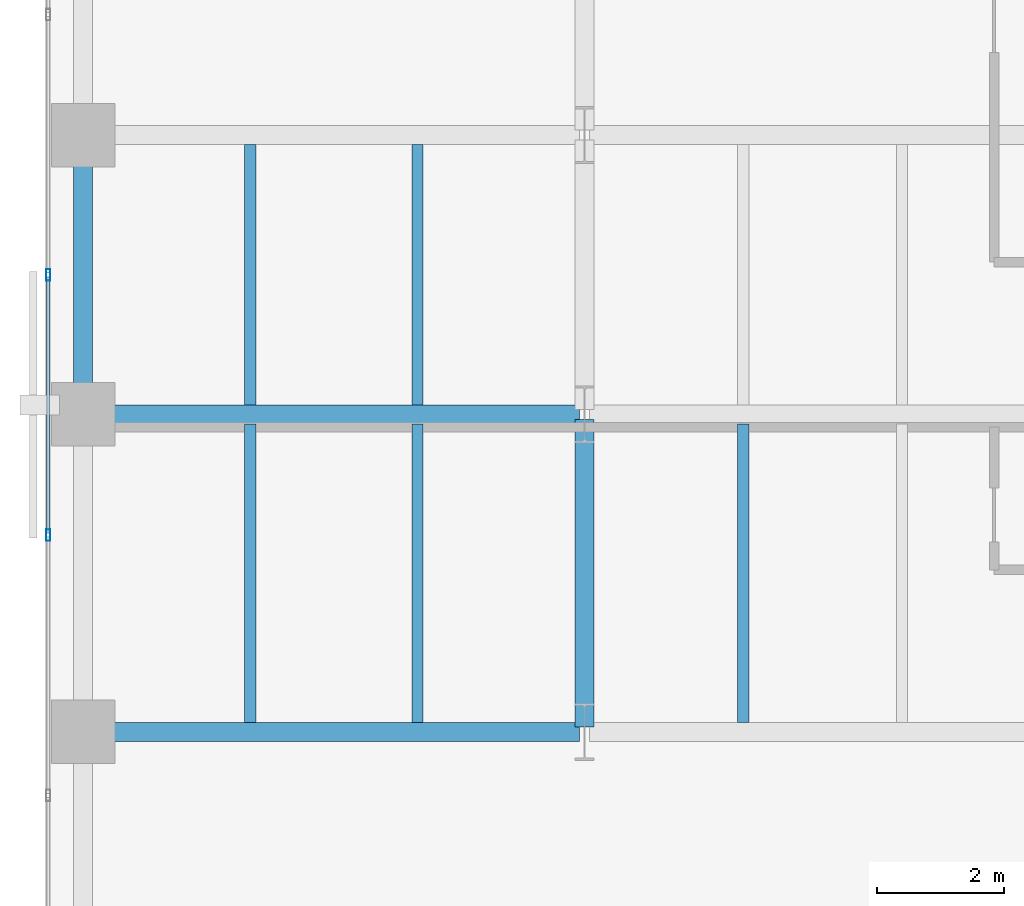
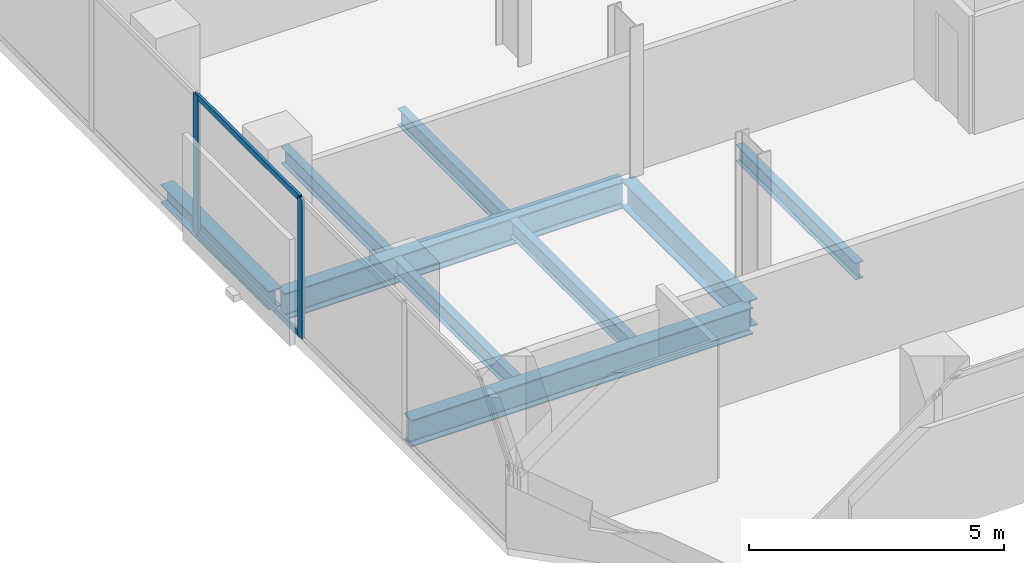
# One storey, part 4 of 31: 9 beams, 4 members, 1 element without a shape of its own.
"""IFC4 building model written with IfcOpenShell, lengths in metres."""

from ifc_helpers import new_model, si_unit, direction, frame, origin, origin_2d, place, context, subcontext, project, spatial, hollow_rectangle, i_section, extrude, material, layer, layer_set, material_profile, profile_set, type_object, element, aggregate, save


model = new_model("IFC4")

# Units and contexts
model_context = context("Model", 3, precision=1e-05, world=origin(), true_north=direction((0.0, 1.0)))
body_context = subcontext(model_context, "Body", "Model", "MODEL_VIEW")
ifc_project = project(units=[si_unit("LENGTHUNIT", "METRE"), si_unit("AREAUNIT", "SQUARE_METRE"), si_unit("VOLUMEUNIT", "CUBIC_METRE"), si_unit("PLANEANGLEUNIT", "RADIAN"), si_unit("MASSUNIT", "GRAM", prefix="KILO")], contexts=[model_context])

# Site, building, storey
site_placement = place(None, origin())
site = spatial("IfcSite", under=ifc_project, at=site_placement, CompositionType="ELEMENT")
building_placement = place(site_placement, origin())
building = spatial("IfcBuilding", under=site, at=building_placement, Name="Catumbela Crestline Tower", CompositionType="ELEMENT")
storey_placement = place(building_placement, frame((0.0, 0.0, 36.6)))
storey = spatial("IfcBuildingStorey", under=building, at=storey_placement, Name="L08", CompositionType="ELEMENT", Elevation=36.6)

# Beams
ifc_material_1 = material(Name="Structural steel S355J2", Category="steel")
ifc_material_profile_1 = material_profile(ifc_material_1, i_section(OverallWidth=0.3, OverallDepth=0.64, WebThickness=0.0135, FlangeThickness=0.026, FilletRadius=0.027, at=origin_2d()), Name="HEA 650")
ifc_profile_set_1 = profile_set([ifc_material_profile_1], Name="Structural steel S355J2")
beam_type_1 = type_object("IfcBeamType", Name="BG-HEA650", PredefinedType="BEAM", material=ifc_profile_set_1)
for number, where, z_axis, x_axis, name in (
    (1, (0.68, 8.6, -0.58), (1.0, 0.0, 0.0), (0.0, 1.0, 0.0), "L08 Beam BM-L08-WEW48"),
    (2, (0.68, 13.6, -0.58), (1.0, 0.0, 0.0), (0.0, 1.0, 0.0), "L08 Beam BM-L08-WEW51"),
):
    element("IfcBeam", number, at=place(storey_placement, frame(where, z_axis=z_axis, x_axis=x_axis)), inside=storey, type_object=beam_type_1, Name=name, PredefinedType="BEAM", context=body_context, shape_type="SweptSolid", body=[
        extrude(i_section(OverallWidth=0.3, OverallDepth=0.64, WebThickness=0.0135, FlangeThickness=0.026, FilletRadius=0.027, at=origin_2d()), origin(), (0.0, 0.0, 1.0), 7.74),
    ])
beam_1_placement = place(storey_placement, frame((8.5, 8.68, -0.58), z_axis=(0.0, 1.0, 0.0), x_axis=(-1.0, 0.0, 0.0)))
element("IfcBeam", 3, at=beam_1_placement, inside=storey, type_object=beam_type_1, Name="L08 Beam BM-L08-WNS61", PredefinedType="BEAM", context=body_context, shape_type="SweptSolid", body=[
    extrude(i_section(OverallWidth=0.3, OverallDepth=0.64, WebThickness=0.0135, FlangeThickness=0.026, FilletRadius=0.027, at=origin_2d()), origin(), (0.0, 0.0, 1.0), 4.84),
])
ifc_material_profile_2 = material_profile(ifc_material_1, i_section(OverallWidth=0.18, OverallDepth=0.4, WebThickness=0.0086, FlangeThickness=0.0135, FilletRadius=0.021, at=origin_2d()), Name="IPE 400")
ifc_profile_set_2 = profile_set([ifc_material_profile_2], Name="Structural steel S355J2")
beam_type_2 = type_object("IfcBeamType", Name="BJ-IPE400", PredefinedType="JOIST", material=ifc_profile_set_2)
for number, where, z_axis, x_axis, name in (
    (4, (3.233, 8.747, -0.46), (0.0, 1.0, 0.0), (-1.0, 0.0, 0.0), "L08 Joist JS-L08-WG70"),
    (5, (5.867, 8.747, -0.46), (0.0, 1.0, 0.0), (-1.0, 0.0, 0.0), "L08 Joist JS-L08-WG71"),
    (6, (11.0, 8.747, -0.46), (0.0, 1.0, 0.0), (-1.0, 0.0, 0.0), "L08 Joist JS-L08-WG72"),
):
    element("IfcBeam", number, at=place(storey_placement, frame(where, z_axis=z_axis, x_axis=x_axis)), inside=storey, type_object=beam_type_2, Name=name, PredefinedType="JOIST", context=body_context, shape_type="SweptSolid", body=[
        extrude(i_section(OverallWidth=0.18, OverallDepth=0.4, WebThickness=0.0086, FlangeThickness=0.0135, FilletRadius=0.021, at=origin_2d()), origin(), (0.0, 0.0, 1.0), 4.706),
    ])
for number, where, z_axis, x_axis, name in (
    (7, (3.233, 13.747, -0.46), (0.0, 1.0, 0.0), (-1.0, 0.0, 0.0), "L08 Joist JS-L08-WG76"),
    (8, (5.867, 13.747, -0.46), (0.0, 1.0, 0.0), (-1.0, 0.0, 0.0), "L08 Joist JS-L08-WG77"),
):
    element("IfcBeam", number, at=place(storey_placement, frame(where, z_axis=z_axis, x_axis=x_axis)), inside=storey, type_object=beam_type_2, Name=name, PredefinedType="JOIST", context=body_context, shape_type="SweptSolid", body=[
        extrude(i_section(OverallWidth=0.18, OverallDepth=0.4, WebThickness=0.0086, FlangeThickness=0.0135, FilletRadius=0.021, at=origin_2d()), origin(), (0.0, 0.0, 1.0), 4.106),
    ])

# Curtain wall, members
ifc_material_2 = material(Name="Aluminium alloy AW-6060-T66", Category="aluminium")
ifc_layer = layer(ifc_material_2, 0.18, Name="Aluminium alloy AW-6060-T66")
ifc_layer_set = layer_set([ifc_layer], Name="Aluminium alloy AW-6060-T66")
curtain_wall_type = type_object("IfcCurtainWallType", Name="CWU-Z1", PredefinedType="USERDEFINED", material=ifc_layer_set)
curtain_wall_placement = place(storey_placement, origin())
curtain_wall = element("IfcCurtainWall", 9, at=curtain_wall_placement, inside=storey, type_object=curtain_wall_type, Name="L08 Unitised Curtain Wall CW-L08-E9S1", ObjectType="UNITISED", PredefinedType="USERDEFINED")
ifc_material_profile_3 = material_profile(ifc_material_2, hollow_rectangle(XDim=0.065, YDim=0.18, WallThickness=0.004, at=origin_2d()), Name="ALU 180x65x4")
ifc_profile_set_3 = profile_set([ifc_material_profile_3], Name="Aluminium alloy AW-6060-T66")
member_type_1 = type_object("IfcMemberType", Name="MUL-180X65", PredefinedType="MULLION", material=ifc_profile_set_3)
member_1_placement = place(storey_placement, frame((0.05, 15.8, 0.0), z_axis=(0.0, 0.0, 1.0), x_axis=(1.0, 0.0, 0.0)))
member_1 = element("IfcMember", 10, at=member_1_placement, type_object=member_type_1, Name="CWU-Z1 mullion 8", PredefinedType="MULLION", context=body_context, shape_type="SweptSolid", body=[
    extrude(hollow_rectangle(XDim=0.065, YDim=0.18, WallThickness=0.004, at=origin_2d()), origin(), (0.0, 0.0, 1.0), 3.33),
])
member_2_placement = place(storey_placement, frame((0.05, 11.7, 0.0), z_axis=(0.0, 0.0, 1.0), x_axis=(1.0, 0.0, 0.0)))
member_2 = element("IfcMember", 11, at=member_2_placement, type_object=member_type_1, Name="CWU-Z1 mullion 9", PredefinedType="MULLION", context=body_context, shape_type="SweptSolid", body=[
    extrude(hollow_rectangle(XDim=0.065, YDim=0.18, WallThickness=0.004, at=origin_2d()), origin(), (0.0, 0.0, 1.0), 3.33),
])

# Beam
ifc_material_profile_4 = material_profile(ifc_material_1, i_section(OverallWidth=0.3, OverallDepth=0.45, WebThickness=0.014, FlangeThickness=0.026, FilletRadius=0.027, at=origin_2d()), Name="HEB 450")
ifc_profile_set_4 = profile_set([ifc_material_profile_4], Name="Structural steel S355J2")
beam_type_3 = type_object("IfcBeamType", Name="BS-HEB450", PredefinedType="SPANDREL", material=ifc_profile_set_4)
beam_2_placement = place(storey_placement, frame((0.6, 13.68, -0.485), z_axis=(0.0, 1.0, 0.0), x_axis=(-1.0, 0.0, 0.0)))
element("IfcBeam", 12, at=beam_2_placement, inside=storey, type_object=beam_type_3, Name="L08 Spandrel SP-L08-WNS59", PredefinedType="SPANDREL", context=body_context, shape_type="SweptSolid", body=[
    extrude(i_section(OverallWidth=0.3, OverallDepth=0.45, WebThickness=0.014, FlangeThickness=0.026, FilletRadius=0.027, at=origin_2d()), origin(), (0.0, 0.0, 1.0), 4.24),
])

# Member
ifc_material_profile_5 = material_profile(ifc_material_2, hollow_rectangle(XDim=0.06, YDim=0.14, WallThickness=0.004, at=origin_2d()), Name="ALU 140x60x4")
ifc_profile_set_5 = profile_set([ifc_material_profile_5], Name="Aluminium alloy AW-6060-T66")
member_type_2 = type_object("IfcMemberType", Name="TRN-140X60", PredefinedType="USERDEFINED", material=ifc_profile_set_5)
member_3_placement = place(storey_placement, frame((0.05, 15.7675, 0.03), z_axis=(0.0, -1.0, 0.0), x_axis=(1.0, 0.0, 0.0)))
member_3 = element("IfcMember", 13, at=member_3_placement, type_object=member_type_2, Name="CWU-Z1 transom 8.1", ObjectType="TRANSOM", PredefinedType="USERDEFINED", context=body_context, shape_type="SweptSolid", body=[
    extrude(hollow_rectangle(XDim=0.06, YDim=0.14, WallThickness=0.004, at=origin_2d()), origin(), (0.0, 0.0, 1.0), 4.035),
])

member_4_placement = place(storey_placement, frame((0.05, 15.7675, 3.3), z_axis=(0.0, -1.0, 0.0), x_axis=(1.0, 0.0, 0.0)))
member_4 = element("IfcMember", 14, at=member_4_placement, type_object=member_type_2, Name="CWU-Z1 transom 8.2", ObjectType="TRANSOM", PredefinedType="USERDEFINED", context=body_context, shape_type="SweptSolid", body=[
    extrude(hollow_rectangle(XDim=0.06, YDim=0.14, WallThickness=0.004, at=origin_2d()), origin(), (0.0, 0.0, 1.0), 4.035),
])

aggregate(curtain_wall, [member_1, member_2, member_3, member_4])

save(model, "model.ifc")
